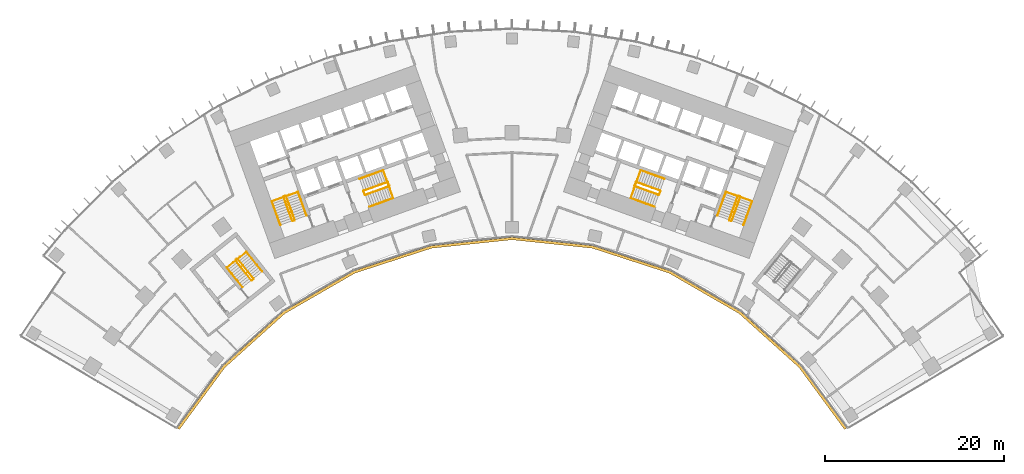
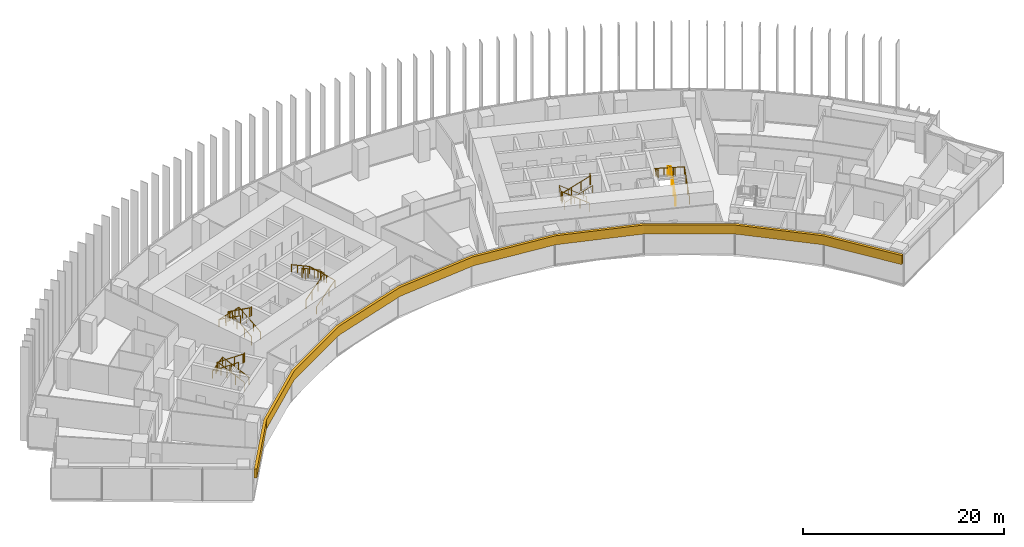
# One storey, part 23 of 24: 15 railings, 1 covering.
"""IFC4 building model written with IfcOpenShell, lengths in metres."""

import ifcopenshell
import ifcopenshell.guid

model = None  # the IFC model being written
_history = None  # IfcOwnerHistory: only IFC2X3 demands one
_inside = {}  # id of a spatial element -> (the spatial element, [elements in it])
_under = {}  # id of a project, library or spatial element -> (it, [spatial elements below it])
_declared = {}  # id of a project -> (the project, [libraries it declares])
_typed = {}  # id of a type object -> (the type object, [elements of that type])
_made_of = {}  # id of a material, layer set ... -> (it, [elements and type objects made of it])


def new_model(schema):
    """Start an empty IFC model of exactly this schema.

    Asked for "IFC4X3", IfcOpenShell would pick the latest addendum, in which some entities
    have other attributes; the version numbers below select the first issue.
    IFC2X3 requires an IfcOwnerHistory on every rooted entity: one is made here for all.
    """
    global model, _history
    if schema == "IFC4X3":
        model = ifcopenshell.file(schema_version=(4, 3, 0, 0))
    else:
        model = ifcopenshell.file(schema=schema)
    _inside.clear()
    _under.clear()
    _declared.clear()
    _typed.clear()
    _made_of.clear()
    _history = None
    if model.schema == "IFC2X3":
        org = make("IfcOrganization", Name="unknown")
        user = make(
            "IfcPersonAndOrganization",
            ThePerson=make("IfcPerson", FamilyName="unknown"),
            TheOrganization=org,
        )
        app = make(
            "IfcApplication",
            ApplicationDeveloper=org,
            Version="unknown",
            ApplicationFullName="unknown",
            ApplicationIdentifier="unknown",
        )
        _history = make(
            "IfcOwnerHistory",
            OwningUser=user,
            OwningApplication=app,
            ChangeAction="ADDED",
            CreationDate=0,
        )
    return model


def make(cls, **values):
    """One entity of the class cls with the attributes given. An attribute that is None is left unset."""
    return model.create_entity(
        cls, **{name: value for name, value in values.items() if value is not None}
    )


def rooted(cls, **values):
    """An entity with a GlobalId (a new one), such as an element, a storey or a relation."""
    return make(cls, GlobalId=ifcopenshell.guid.new(), OwnerHistory=_history, **values)


def si_unit(unit_type, name, prefix=None):
    """IfcSIUnit, for example si_unit("LENGTHUNIT", "METRE", prefix="MILLI")."""
    return make("IfcSIUnit", UnitType=unit_type, Prefix=prefix, Name=name)


def assignment(units):
    """IfcUnitAssignment: the units of a project."""
    return None if units is None else make("IfcUnitAssignment", Units=units)


def point(xyz):
    """IfcCartesianPoint."""
    return None if xyz is None else make("IfcCartesianPoint", Coordinates=xyz)


def direction(xyz):
    """IfcDirection."""
    return None if xyz is None else make("IfcDirection", DirectionRatios=xyz)


def frame(location, z_axis=None, x_axis=None):
    """IfcAxis2Placement3D, a coordinate frame: its origin and axes. An axis left out is left unset."""
    return make(
        "IfcAxis2Placement3D",
        Location=point(location),
        Axis=direction(z_axis),
        RefDirection=direction(x_axis),
    )


def frame_2d(location, x_axis=None):
    """IfcAxis2Placement2D, a coordinate frame in the plane: its origin and x axis."""
    return make(
        "IfcAxis2Placement2D", Location=point(location), RefDirection=direction(x_axis)
    )


def origin():
    """The frame at (0, 0, 0) with its axes left unset."""
    return frame((0.0, 0.0, 0.0))


def origin_2d():
    """The frame at (0, 0) in the plane with its x axis left unset."""
    return frame_2d((0.0, 0.0))


def place(relative_to, where):
    """IfcLocalPlacement: puts the frame where relative to a parent placement (None: the world)."""
    return make(
        "IfcLocalPlacement", PlacementRelTo=relative_to, RelativePlacement=where
    )


def context(
    kind, dimensions, precision=None, world=None, true_north=None, identifier=None
):
    """IfcGeometricRepresentationContext, for example the 3D "Model" context."""
    return make(
        "IfcGeometricRepresentationContext",
        ContextIdentifier=identifier,
        ContextType=kind,
        CoordinateSpaceDimension=dimensions,
        Precision=precision,
        WorldCoordinateSystem=world,
        TrueNorth=true_north,
    )


def subcontext(parent, identifier, kind, view, scale=None):
    """IfcGeometricRepresentationSubContext, for example "Body" below "Model"."""
    return make(
        "IfcGeometricRepresentationSubContext",
        ContextIdentifier=identifier,
        ContextType=kind,
        ParentContext=parent,
        TargetScale=scale,
        TargetView=view,
    )


def project(units=None, contexts=None):
    """IfcProject with its units and contexts."""
    return rooted(
        "IfcProject",
        Name="project",
        RepresentationContexts=contexts,
        UnitsInContext=assignment(units),
    )


def spatial(cls, under=None, at=None, **own):
    """A site, building, storey or space (cls), placed at a placement, below another one or the project."""
    s = rooted(cls, ObjectPlacement=at, **own)
    if under is not None:
        _under.setdefault(under.id(), (under, []))[1].append(s)
    return s


def polyline(points):
    """IfcPolyline through the points."""
    return make("IfcPolyline", Points=[point(p) for p in points])


def profile(cls, at=None, kind="AREA", **sizes):
    """A parametric profile (cls). Its sizes go by their IFC names, for example OverallWidth=200.0."""
    return make(cls, ProfileType=kind, Position=at, **sizes)


def circle(**sizes):
    """IfcCircleProfileDef."""
    return profile("IfcCircleProfileDef", **sizes)


def outline(outer, holes=None, kind="AREA"):
    """IfcArbitraryClosedProfileDef: a profile drawn as a closed curve; with holes, ...WithVoids."""
    if holes is None:
        return make("IfcArbitraryClosedProfileDef", ProfileType=kind, OuterCurve=outer)
    return make(
        "IfcArbitraryProfileDefWithVoids",
        ProfileType=kind,
        OuterCurve=outer,
        InnerCurves=holes,
    )


def extrude(swept, where, along, depth):
    """IfcExtrudedAreaSolid: the profile swept, set in the frame where, extruded along a direction by depth."""
    return make(
        "IfcExtrudedAreaSolid",
        SweptArea=swept,
        Position=where,
        ExtrudedDirection=direction(along),
        Depth=depth,
    )


def shape(context_of_items, identifier, shape_type, items):
    """IfcShapeRepresentation: the items that make up one representation, for example the "Body"."""
    return make(
        "IfcShapeRepresentation",
        ContextOfItems=context_of_items,
        RepresentationIdentifier=identifier,
        RepresentationType=shape_type,
        Items=items,
    )


def material(Name=None, Category=None):
    """IfcMaterial."""
    return make("IfcMaterial", Name=Name, Category=Category)


def layer(
    of_material, thickness, ventilated=None, Name=None, Category=None, Priority=None
):
    """IfcMaterialLayer: one layer of a wall or slab, of a material (None: an air gap)."""
    return make(
        "IfcMaterialLayer",
        Material=of_material,
        LayerThickness=thickness,
        IsVentilated=ventilated,
        Name=Name,
        Category=Category,
        Priority=Priority,
    )


def layer_set(layers, Name=None):
    """IfcMaterialLayerSet."""
    return make("IfcMaterialLayerSet", MaterialLayers=layers, LayerSetName=Name)


def made_of(thing, what):
    """Note that an element or type object is made of a material, layer set ...; save() writes the relation."""
    if what is not None:
        _made_of.setdefault(what.id(), (what, []))[1].append(thing)
    return thing


def type_object(cls, material=None, **own):
    """A type object (cls), such as IfcWallType, which elements share."""
    return made_of(rooted(cls, **own), material)


def element(
    cls,
    number,
    at=None,
    inside=None,
    cuts=None,
    type_object=None,
    material=None,
    context=None,
    identifier="Body",
    shape_type=None,
    held_by="IfcProductDefinitionShape",
    body=None,
    shapes=None,
    **own,
):
    """One element of the class cls, such as IfcWall. Its Tag is "e" and its number.

    at: its placement. inside: the storey or other place that contains it. cuts: it is an
    opening in that element (IfcRelVoidsElement). A single representation is given by context,
    identifier, shape_type and body (its items); several are given by shapes. held_by: the class
    of the entity that holds the representations. save() writes the other relations.
    """
    e = rooted(cls, Tag="e%d" % number, ObjectPlacement=at, **own)
    if body is not None:
        shapes = [shape(context, identifier, shape_type, body)]
    if shapes is not None:
        e.Representation = make(held_by, Representations=shapes)
    if inside is not None:
        _inside.setdefault(inside.id(), (inside, []))[1].append(e)
    if cuts is not None:
        rooted(
            "IfcRelVoidsElement", RelatingBuildingElement=cuts, RelatedOpeningElement=e
        )
    if type_object is not None:
        _typed.setdefault(type_object.id(), (type_object, []))[1].append(e)
    return made_of(e, material)


def aggregate(whole, parts):
    """IfcRelAggregates: a whole, such as a stair, and the parts it consists of."""
    return rooted("IfcRelAggregates", RelatingObject=whole, RelatedObjects=parts)


def save(model, path):
    """Write the relations noted so far, then the file.

    IfcRelAggregates (storeys below a building ...), IfcRelContainedInSpatialStructure (elements
    in a storey), IfcRelDefinesByType, IfcRelAssociatesMaterial and IfcRelDeclares: one each for
    every whole, place, type object, material and project.
    """
    for whole, parts in _under.values():
        aggregate(whole, parts)
    for where, things in _inside.values():
        rooted(
            "IfcRelContainedInSpatialStructure",
            RelatedElements=things,
            RelatingStructure=where,
        )
    for kind, things in _typed.values():
        rooted("IfcRelDefinesByType", RelatedObjects=things, RelatingType=kind)
    for what, things in _made_of.values():
        rooted("IfcRelAssociatesMaterial", RelatedObjects=things, RelatingMaterial=what)
    for by, libraries in _declared.values():
        rooted("IfcRelDeclares", RelatingContext=by, RelatedDefinitions=libraries)
    model.write(path)


model = new_model("IFC4")

# Units and contexts
model_context = context("Model", 3, precision=1e-05, world=origin(), true_north=direction((0.0, 1.0)))
body_context = subcontext(model_context, "Body", "Model", "MODEL_VIEW")
ifc_project = project(units=[si_unit("LENGTHUNIT", "METRE"), si_unit("AREAUNIT", "SQUARE_METRE"), si_unit("VOLUMEUNIT", "CUBIC_METRE"), si_unit("PLANEANGLEUNIT", "RADIAN"), si_unit("MASSUNIT", "GRAM", prefix="KILO")], contexts=[model_context])

# Site, building, storey
site_placement = place(None, origin())
site = spatial("IfcSite", under=ifc_project, at=site_placement, CompositionType="ELEMENT")
building_placement = place(site_placement, origin())
building = spatial("IfcBuilding", under=site, at=building_placement, Name="Stone Belt Terrace Tower", CompositionType="ELEMENT")
storey_placement = place(building_placement, frame((0.0, 0.0, 41.39990234375)))
storey = spatial("IfcBuildingStorey", under=building, at=storey_placement, Name="L09", CompositionType="ELEMENT", Elevation=41.39990234375)

# Railings
ifc_material_1 = material(Name="Structural steel C345", Category="steel")
railing_type_1 = type_object("IfcRailingType", Name="Stair guard 1100", PredefinedType="GUARDRAIL", material=ifc_material_1)
railing_1_placement = place(storey_placement, frame((-24.2119140625, 45.276123046875, 0.1728515625)))
element("IfcRailing", 1, at=railing_1_placement, inside=storey, type_object=railing_type_1, Name="L09 ST1A stair guard 1", PredefinedType="GUARDRAIL", context=body_context, shape_type="SweptSolid", body=[
    extrude(circle(Radius=0.02392578125, at=origin_2d()), frame((0.0, 0.0, 1.076171875), z_axis=(-0.288228637646, 0.800791768495, 0.525030280985), x_axis=(-0.940908529223, -0.338660803216, 0.0)), (0.0, 0.0, 1.0), 3.289794921875),
    extrude(circle(Radius=0.02392578125, at=origin_2d()), frame((-0.9482421875, 2.634521484375, 2.80322265625), z_axis=(-0.905209821074, 0.424964916, 0.0), x_axis=(-0.424964916, -0.905209821074, 0.0)), (0.0, 0.0, 1.0), 0.070556640625),
    extrude(circle(Radius=0.02392578125, at=origin_2d()), frame((-1.01220703125, 2.66455078125, 2.80322265625), z_axis=(-0.941105063269, -0.338114270461, 0.0), x_axis=(0.338114270461, -0.941105063269, 0.0)), (0.0, 0.0, 1.0), 0.199951171875),
    extrude(circle(Radius=0.02099609375, at=origin_2d()), origin(), (0.0, 0.0, 1.0), 1.052001953125),
    extrude(circle(Radius=0.02099609375, at=origin_2d()), frame((-0.316162109375, 0.878173828125, 0.57568359375)), (0.0, 0.0, 1.0), 1.052001953125),
    extrude(circle(Radius=0.02099609375, at=origin_2d()), frame((-0.632080078125, 1.75634765625, 1.151611328125)), (0.0, 0.0, 1.0), 1.052001953125),
    extrude(circle(Radius=0.02099609375, at=origin_2d()), frame((-0.9482421875, 2.634521484375, 1.727294921875)), (0.0, 0.0, 1.0), 1.052001953125),
    extrude(circle(Radius=0.02099609375, at=origin_2d()), frame((-1.01220703125, 2.66455078125, 1.727294921875)), (0.0, 0.0, 1.0), 1.052001953125),
    extrude(circle(Radius=0.02099609375, at=origin_2d()), frame((-1.200439453125, 2.596923828125, 1.727294921875)), (0.0, 0.0, 1.0), 1.052001953125),
])
railing_2_placement = place(storey_placement, frame((-25.4423828125, 47.80908203125, 2.07275390625)))
element("IfcRailing", 2, at=railing_2_placement, inside=storey, type_object=railing_type_1, Name="L09 ST1A stair guard 2", PredefinedType="GUARDRAIL", context=body_context, shape_type="SweptSolid", body=[
    extrude(circle(Radius=0.02392578125, at=origin_2d()), frame((0.0, 0.0, 1.076171875), z_axis=(0.288228637646, -0.800791768495, 0.525030280985), x_axis=(0.940908529223, 0.338660803216, 0.0)), (0.0, 0.0, 1.0), 3.289794921875),
    extrude(circle(Radius=0.02392578125, at=origin_2d()), frame((0.9482421875, -2.634521484375, 2.80322265625), z_axis=(0.903878284585, -0.427789722475, 0.0), x_axis=(0.427789722475, 0.903878284585, 0.0)), (0.0, 0.0, 1.0), 0.07080078125),
    extrude(circle(Radius=0.02392578125, at=origin_2d()), frame((1.01220703125, -2.664794921875, 2.80322265625), z_axis=(0.940575576748, 0.339584429008, 0.0), x_axis=(-0.339584429008, 0.940575576748, 0.0)), (0.0, 0.0, 1.0), 0.199951171875),
    extrude(circle(Radius=0.02099609375, at=origin_2d()), origin(), (0.0, 0.0, 1.0), 1.052001953125),
    extrude(circle(Radius=0.02099609375, at=origin_2d()), frame((0.316162109375, -0.878173828125, 0.57568359375)), (0.0, 0.0, 1.0), 1.052001953125),
    extrude(circle(Radius=0.02099609375, at=origin_2d()), frame((0.632080078125, -1.75634765625, 1.151611328125)), (0.0, 0.0, 1.0), 1.052001953125),
    extrude(circle(Radius=0.02099609375, at=origin_2d()), frame((0.9482421875, -2.634521484375, 1.727294921875)), (0.0, 0.0, 1.0), 1.052001953125),
    extrude(circle(Radius=0.02099609375, at=origin_2d()), frame((1.01220703125, -2.664794921875, 1.727294921875)), (0.0, 0.0, 1.0), 1.052001953125),
    extrude(circle(Radius=0.02099609375, at=origin_2d()), frame((1.2001953125, -2.596923828125, 1.727294921875)), (0.0, 0.0, 1.0), 1.052001953125),
])
railing_3_placement = place(storey_placement, frame((-16.33837890625, 48.056640625, 0.1728515625)))
element("IfcRailing", 3, at=railing_3_placement, inside=storey, type_object=railing_type_1, Name="L09 ST2A stair guard 1", PredefinedType="GUARDRAIL", context=body_context, shape_type="SweptSolid", body=[
    extrude(circle(Radius=0.02392578125, at=origin_2d()), frame((0.0, 0.0, 1.076171875), z_axis=(0.800808895155, 0.288160591223, 0.52504150989), x_axis=(-0.338583606334, 0.940936311087, 0.0)), (0.0, 0.0, 1.0), 3.289794921875),
    extrude(circle(Radius=0.02392578125, at=origin_2d()), frame((2.634521484375, 0.947998046875, 2.80322265625), z_axis=(0.427789722475, 0.903878284585, 0.0), x_axis=(-0.903878284585, 0.427789722475, 0.0)), (0.0, 0.0, 1.0), 0.07080078125),
    extrude(circle(Radius=0.02392578125, at=origin_2d()), frame((2.664794921875, 1.011962890625, 2.80322265625), z_axis=(-0.338654645739, 0.940910745459, 0.0), x_axis=(-0.940910745459, -0.338654645739, 0.0)), (0.0, 0.0, 1.0), 0.400146484375),
    extrude(circle(Radius=0.02099609375, at=origin_2d()), origin(), (0.0, 0.0, 1.0), 1.052001953125),
    extrude(circle(Radius=0.02099609375, at=origin_2d()), frame((0.878173828125, 0.31591796875, 0.57568359375)), (0.0, 0.0, 1.0), 1.052001953125),
    extrude(circle(Radius=0.02099609375, at=origin_2d()), frame((1.75634765625, 0.632080078125, 1.151611328125)), (0.0, 0.0, 1.0), 1.052001953125),
    extrude(circle(Radius=0.02099609375, at=origin_2d()), frame((2.634521484375, 0.947998046875, 1.727294921875)), (0.0, 0.0, 1.0), 1.052001953125),
    extrude(circle(Radius=0.02099609375, at=origin_2d()), frame((2.664794921875, 1.011962890625, 1.727294921875)), (0.0, 0.0, 1.0), 1.052001953125),
    extrude(circle(Radius=0.02099609375, at=origin_2d()), frame((2.529296875, 1.388427734375, 1.727294921875)), (0.0, 0.0, 1.0), 1.052001953125),
])
railing_4_placement = place(storey_placement, frame((-13.873046875, 49.47509765625, 2.07275390625)))
element("IfcRailing", 4, at=railing_4_placement, inside=storey, type_object=railing_type_1, Name="L09 ST2A stair guard 2", PredefinedType="GUARDRAIL", context=body_context, shape_type="SweptSolid", body=[
    extrude(circle(Radius=0.02392578125, at=origin_2d()), frame((0.0, 0.0, 1.076171875), z_axis=(-0.800808895155, -0.288160591223, 0.52504150989), x_axis=(0.338583606334, -0.940936311087, 0.0)), (0.0, 0.0, 1.0), 3.289794921875),
    extrude(circle(Radius=0.02392578125, at=origin_2d()), frame((-2.634521484375, -0.947998046875, 2.80322265625), z_axis=(-0.427789722475, -0.903878284585, 0.0), x_axis=(0.903878284585, -0.427789722475, 0.0)), (0.0, 0.0, 1.0), 0.07080078125),
    extrude(circle(Radius=0.02392578125, at=origin_2d()), frame((-2.664794921875, -1.011962890625, 2.80322265625), z_axis=(0.338654645739, -0.940910745459, 0.0), x_axis=(0.940910745459, 0.338654645739, 0.0)), (0.0, 0.0, 1.0), 0.400146484375),
    extrude(circle(Radius=0.02099609375, at=origin_2d()), origin(), (0.0, 0.0, 1.0), 1.052001953125),
    extrude(circle(Radius=0.02099609375, at=origin_2d()), frame((-0.878173828125, -0.31591796875, 0.57568359375)), (0.0, 0.0, 1.0), 1.052001953125),
    extrude(circle(Radius=0.02099609375, at=origin_2d()), frame((-1.75634765625, -0.632080078125, 1.151611328125)), (0.0, 0.0, 1.0), 1.052001953125),
    extrude(circle(Radius=0.02099609375, at=origin_2d()), frame((-2.634521484375, -0.947998046875, 1.727294921875)), (0.0, 0.0, 1.0), 1.052001953125),
    extrude(circle(Radius=0.02099609375, at=origin_2d()), frame((-2.664794921875, -1.011962890625, 1.727294921875)), (0.0, 0.0, 1.0), 1.052001953125),
    extrude(circle(Radius=0.02099609375, at=origin_2d()), frame((-2.529296875, -1.388427734375, 1.727294921875)), (0.0, 0.0, 1.0), 1.052001953125),
])
railing_5_placement = place(storey_placement, frame((24.494140625, 45.174560546875, 0.1728515625)))
element("IfcRailing", 5, at=railing_5_placement, inside=storey, type_object=railing_type_1, Name="L09 ST1B stair guard 1", PredefinedType="GUARDRAIL", context=body_context, shape_type="SweptSolid", body=[
    extrude(circle(Radius=0.02392578125, at=origin_2d()), frame((0.0, 0.0, 1.076171875), z_axis=(0.288228637646, 0.800791768495, 0.525030280985), x_axis=(-0.940908529223, 0.338660803216, 0.0)), (0.0, 0.0, 1.0), 3.289794921875),
    extrude(circle(Radius=0.02392578125, at=origin_2d()), frame((0.9482421875, 2.634521484375, 2.80322265625), z_axis=(-0.424964916, 0.905209821074, 0.0), x_axis=(-0.905209821074, -0.424964916, 0.0)), (0.0, 0.0, 1.0), 0.070556640625),
    extrude(circle(Radius=0.02392578125, at=origin_2d()), frame((0.918212890625, 2.698486328125, 2.80322265625), z_axis=(-0.941105063269, 0.338114270461, 0.0), x_axis=(-0.338114270461, -0.941105063269, 0.0)), (0.0, 0.0, 1.0), 0.199951171875),
    extrude(circle(Radius=0.02099609375, at=origin_2d()), origin(), (0.0, 0.0, 1.0), 1.052001953125),
    extrude(circle(Radius=0.02099609375, at=origin_2d()), frame((0.316162109375, 0.878173828125, 0.57568359375)), (0.0, 0.0, 1.0), 1.052001953125),
    extrude(circle(Radius=0.02099609375, at=origin_2d()), frame((0.632080078125, 1.75634765625, 1.151611328125)), (0.0, 0.0, 1.0), 1.052001953125),
    extrude(circle(Radius=0.02099609375, at=origin_2d()), frame((0.9482421875, 2.634521484375, 1.727294921875)), (0.0, 0.0, 1.0), 1.052001953125),
    extrude(circle(Radius=0.02099609375, at=origin_2d()), frame((0.918212890625, 2.698486328125, 1.727294921875)), (0.0, 0.0, 1.0), 1.052001953125),
    extrude(circle(Radius=0.02099609375, at=origin_2d()), frame((0.72998046875, 2.76611328125, 1.727294921875)), (0.0, 0.0, 1.0), 1.052001953125),
])
railing_6_placement = place(storey_placement, frame((25.16015625, 47.91064453125, 2.07275390625)))
element("IfcRailing", 6, at=railing_6_placement, inside=storey, type_object=railing_type_1, Name="L09 ST1B stair guard 2", PredefinedType="GUARDRAIL", context=body_context, shape_type="SweptSolid", body=[
    extrude(circle(Radius=0.02392578125, at=origin_2d()), frame((0.0, 0.0, 1.076171875), z_axis=(-0.288228637646, -0.800791768495, 0.525030280985), x_axis=(0.940908529223, -0.338660803216, 0.0)), (0.0, 0.0, 1.0), 3.289794921875),
    extrude(circle(Radius=0.02392578125, at=origin_2d()), frame((-0.9482421875, -2.634521484375, 2.80322265625), z_axis=(0.427789722475, -0.903878284585, 0.0), x_axis=(0.903878284585, 0.427789722475, 0.0)), (0.0, 0.0, 1.0), 0.07080078125),
    extrude(circle(Radius=0.02392578125, at=origin_2d()), frame((-0.91796875, -2.698486328125, 2.80322265625), z_axis=(0.940575576748, -0.339584429008, 0.0), x_axis=(0.339584429008, 0.940575576748, 0.0)), (0.0, 0.0, 1.0), 0.199951171875),
    extrude(circle(Radius=0.02099609375, at=origin_2d()), origin(), (0.0, 0.0, 1.0), 1.052001953125),
    extrude(circle(Radius=0.02099609375, at=origin_2d()), frame((-0.316162109375, -0.878173828125, 0.57568359375)), (0.0, 0.0, 1.0), 1.052001953125),
    extrude(circle(Radius=0.02099609375, at=origin_2d()), frame((-0.632080078125, -1.75634765625, 1.151611328125)), (0.0, 0.0, 1.0), 1.052001953125),
    extrude(circle(Radius=0.02099609375, at=origin_2d()), frame((-0.9482421875, -2.634521484375, 1.727294921875)), (0.0, 0.0, 1.0), 1.052001953125),
    extrude(circle(Radius=0.02099609375, at=origin_2d()), frame((-0.91796875, -2.698486328125, 1.727294921875)), (0.0, 0.0, 1.0), 1.052001953125),
    extrude(circle(Radius=0.02099609375, at=origin_2d()), frame((-0.72998046875, -2.766357421875, 1.727294921875)), (0.0, 0.0, 1.0), 1.052001953125),
])
railing_7_placement = place(storey_placement, frame((16.507568359375, 48.527099609375, 0.1728515625)))
element("IfcRailing", 7, at=railing_7_placement, inside=storey, type_object=railing_type_1, Name="L09 ST2B stair guard 1", PredefinedType="GUARDRAIL", context=body_context, shape_type="SweptSolid", body=[
    extrude(circle(Radius=0.02392578125, at=origin_2d()), frame((0.0, 0.0, 1.076171875), z_axis=(-0.800808895155, 0.288160591223, 0.52504150989), x_axis=(-0.338583606334, -0.940936311087, 0.0)), (0.0, 0.0, 1.0), 3.289794921875),
    extrude(circle(Radius=0.02392578125, at=origin_2d()), frame((-2.634521484375, 0.947998046875, 2.80322265625), z_axis=(-0.905209821074, -0.424964916, 0.0), x_axis=(0.424964916, -0.905209821074, 0.0)), (0.0, 0.0, 1.0), 0.070556640625),
    extrude(circle(Radius=0.02392578125, at=origin_2d()), frame((-2.698486328125, 0.91796875, 2.80322265625), z_axis=(-0.338654645739, -0.940910745459, 0.0), x_axis=(0.940910745459, -0.338654645739, 0.0)), (0.0, 0.0, 1.0), 0.400146484375),
    extrude(circle(Radius=0.02099609375, at=origin_2d()), origin(), (0.0, 0.0, 1.0), 1.052001953125),
    extrude(circle(Radius=0.02099609375, at=origin_2d()), frame((-0.878173828125, 0.31591796875, 0.57568359375)), (0.0, 0.0, 1.0), 1.052001953125),
    extrude(circle(Radius=0.02099609375, at=origin_2d()), frame((-1.75634765625, 0.632080078125, 1.151611328125)), (0.0, 0.0, 1.0), 1.052001953125),
    extrude(circle(Radius=0.02099609375, at=origin_2d()), frame((-2.634521484375, 0.947998046875, 1.727294921875)), (0.0, 0.0, 1.0), 1.052001953125),
    extrude(circle(Radius=0.02099609375, at=origin_2d()), frame((-2.698486328125, 0.91796875, 1.727294921875)), (0.0, 0.0, 1.0), 1.052001953125),
    extrude(circle(Radius=0.02099609375, at=origin_2d()), frame((-2.833984375, 0.54150390625, 1.727294921875)), (0.0, 0.0, 1.0), 1.052001953125),
])
railing_8_placement = place(storey_placement, frame((13.703857421875, 49.004638671875, 2.07275390625)))
element("IfcRailing", 8, at=railing_8_placement, inside=storey, type_object=railing_type_1, Name="L09 ST2B stair guard 2", PredefinedType="GUARDRAIL", context=body_context, shape_type="SweptSolid", body=[
    extrude(circle(Radius=0.02392578125, at=origin_2d()), frame((0.0, 0.0, 1.076171875), z_axis=(0.800808895155, -0.288160591223, 0.52504150989), x_axis=(0.338583606334, 0.940936311087, 0.0)), (0.0, 0.0, 1.0), 3.289794921875),
    extrude(circle(Radius=0.02392578125, at=origin_2d()), frame((2.634521484375, -0.947998046875, 2.80322265625), z_axis=(0.905209821074, 0.424964916, 0.0), x_axis=(-0.424964916, 0.905209821074, 0.0)), (0.0, 0.0, 1.0), 0.070556640625),
    extrude(circle(Radius=0.02392578125, at=origin_2d()), frame((2.698486328125, -0.91796875, 2.80322265625), z_axis=(0.338654645739, 0.940910745459, 0.0), x_axis=(-0.940910745459, 0.338654645739, 0.0)), (0.0, 0.0, 1.0), 0.400146484375),
    extrude(circle(Radius=0.02099609375, at=origin_2d()), origin(), (0.0, 0.0, 1.0), 1.052001953125),
    extrude(circle(Radius=0.02099609375, at=origin_2d()), frame((0.878173828125, -0.31591796875, 0.57568359375)), (0.0, 0.0, 1.0), 1.052001953125),
    extrude(circle(Radius=0.02099609375, at=origin_2d()), frame((1.75634765625, -0.632080078125, 1.151611328125)), (0.0, 0.0, 1.0), 1.052001953125),
    extrude(circle(Radius=0.02099609375, at=origin_2d()), frame((2.634521484375, -0.947998046875, 1.727294921875)), (0.0, 0.0, 1.0), 1.052001953125),
    extrude(circle(Radius=0.02099609375, at=origin_2d()), frame((2.698486328125, -0.91796875, 1.727294921875)), (0.0, 0.0, 1.0), 1.052001953125),
    extrude(circle(Radius=0.02099609375, at=origin_2d()), frame((2.833984375, -0.54150390625, 1.727294921875)), (0.0, 0.0, 1.0), 1.052001953125),
])
railing_9_placement = place(storey_placement, frame((-28.814208984375, 38.734619140625, 0.1728515625)))
element("IfcRailing", 9, at=railing_9_placement, inside=storey, type_object=railing_type_1, Name="L09 ST3A stair guard 1", PredefinedType="GUARDRAIL", context=body_context, shape_type="SweptSolid", body=[
    extrude(circle(Radius=0.02392578125, at=origin_2d()), frame((0.0, 0.0, 1.076171875), z_axis=(-0.530306321799, 0.665665785969, 0.525037395288), x_axis=(-0.782143211408, -0.623098705543, 0.0)), (0.0, 0.0, 1.0), 3.289794921875),
    extrude(circle(Radius=0.02392578125, at=origin_2d()), frame((-1.74462890625, 2.18994140625, 2.80322265625), z_axis=(-0.993883734674, 0.110431526075, 0.0), x_axis=(-0.110431526075, -0.993883734674, 0.0)), (0.0, 0.0, 1.0), 0.07080078125),
    extrude(circle(Radius=0.02392578125, at=origin_2d()), frame((-1.81494140625, 2.19775390625, 2.80322265625), z_axis=(-0.782533463299, -0.622608527742, 0.0), x_axis=(0.622608527742, -0.782533463299, 0.0)), (0.0, 0.0, 1.0), 0.199951171875),
    extrude(circle(Radius=0.02099609375, at=origin_2d()), origin(), (0.0, 0.0, 1.0), 1.052001953125),
    extrude(circle(Radius=0.02099609375, at=origin_2d()), frame((-0.58154296875, 0.72998046875, 0.57568359375)), (0.0, 0.0, 1.0), 1.052001953125),
    extrude(circle(Radius=0.02099609375, at=origin_2d()), frame((-1.1630859375, 1.4599609375, 1.151611328125)), (0.0, 0.0, 1.0), 1.052001953125),
    extrude(circle(Radius=0.02099609375, at=origin_2d()), frame((-1.74462890625, 2.18994140625, 1.727294921875)), (0.0, 0.0, 1.0), 1.052001953125),
    extrude(circle(Radius=0.02099609375, at=origin_2d()), frame((-1.81494140625, 2.19775390625, 1.727294921875)), (0.0, 0.0, 1.0), 1.052001953125),
    extrude(circle(Radius=0.02099609375, at=origin_2d()), frame((-1.971435546875, 2.0732421875, 1.727294921875)), (0.0, 0.0, 1.0), 1.052001953125),
])
railing_10_placement = place(storey_placement, frame((-30.793701171875, 40.737548828125, 2.07275390625)))
element("IfcRailing", 10, at=railing_10_placement, inside=storey, type_object=railing_type_1, Name="L09 ST3A stair guard 2", PredefinedType="GUARDRAIL", context=body_context, shape_type="SweptSolid", body=[
    extrude(circle(Radius=0.02392578125, at=origin_2d()), frame((0.0, 0.0, 1.076171875), z_axis=(0.530359659125, -0.665639588968, 0.525016732659), x_axis=(0.782100716982, 0.62315204284, 0.0)), (0.0, 0.0, 1.0), 3.2900390625),
    extrude(circle(Radius=0.02392578125, at=origin_2d()), frame((1.744873046875, -2.18994140625, 2.80322265625), z_axis=(0.993499272973, -0.113838458361, 0.0), x_axis=(0.113838458361, 0.993499272973, 0.0)), (0.0, 0.0, 1.0), 0.07080078125),
    extrude(circle(Radius=0.02392578125, at=origin_2d()), frame((1.815185546875, -2.197998046875, 2.80322265625), z_axis=(0.781464082609, 0.623950228458, 0.0), x_axis=(-0.623950228458, 0.781464082609, 0.0)), (0.0, 0.0, 1.0), 0.199951171875),
    extrude(circle(Radius=0.02099609375, at=origin_2d()), origin(), (0.0, 0.0, 1.0), 1.052001953125),
    extrude(circle(Radius=0.02099609375, at=origin_2d()), frame((0.58154296875, -0.72998046875, 0.57568359375)), (0.0, 0.0, 1.0), 1.052001953125),
    extrude(circle(Radius=0.02099609375, at=origin_2d()), frame((1.163330078125, -1.4599609375, 1.151611328125)), (0.0, 0.0, 1.0), 1.052001953125),
    extrude(circle(Radius=0.02099609375, at=origin_2d()), frame((1.744873046875, -2.18994140625, 1.727294921875)), (0.0, 0.0, 1.0), 1.052001953125),
    extrude(circle(Radius=0.02099609375, at=origin_2d()), frame((1.815185546875, -2.197998046875, 1.727294921875)), (0.0, 0.0, 1.0), 1.052001953125),
    extrude(circle(Radius=0.02099609375, at=origin_2d()), frame((1.971435546875, -2.0732421875, 1.727294921875)), (0.0, 0.0, 1.0), 1.052001953125),
])
railing_type_2 = type_object("IfcRailingType", Name="Stair handrail 900", PredefinedType="HANDRAIL", material=ifc_material_1)
railing_11_placement = place(storey_placement, frame((-22.894775390625, 45.750244140625, 0.1728515625)))
element("IfcRailing", 11, at=railing_11_placement, inside=storey, type_object=railing_type_2, Name="L09 ST1A stair handrail 1", PredefinedType="HANDRAIL", context=body_context, shape_type="SweptSolid", body=[
    extrude(circle(Radius=0.02392578125, at=origin_2d()), frame((0.0, 0.0, 0.8759765625), z_axis=(-0.288160591223, 0.800808895155, 0.52504150989), x_axis=(-0.940936311087, -0.338583606334, 0.0)), (0.0, 0.0, 1.0), 3.289794921875),
    extrude(circle(Radius=0.02392578125, at=origin_2d()), frame((-0.947998046875, 2.634521484375, 2.60302734375), z_axis=(-0.939464517435, -0.338106580597, 0.055591012205), x_axis=(0.338630230244, -0.940919532779, 0.0)), (0.0, 0.0, 1.0), 3.10498046875),
    extrude(circle(Radius=0.02392578125, at=origin_2d()), frame((-3.864990234375, 1.584716796875, 2.77587890625), z_axis=(0.288228637646, -0.800791768495, 0.525030280985), x_axis=(0.940908529223, 0.338660803216, 0.0)), (0.0, 0.0, 1.0), 3.289794921875),
    extrude(circle(Radius=0.02099609375, at=origin_2d()), origin(), (0.0, 0.0, 1.0), 0.851806640625),
    extrude(circle(Radius=0.02099609375, at=origin_2d()), frame((-0.31591796875, 0.878173828125, 0.57568359375)), (0.0, 0.0, 1.0), 0.851806640625),
    extrude(circle(Radius=0.02099609375, at=origin_2d()), frame((-0.632080078125, 1.75634765625, 1.151611328125)), (0.0, 0.0, 1.0), 0.851806640625),
    extrude(circle(Radius=0.02099609375, at=origin_2d()), frame((-0.947998046875, 2.634521484375, 1.727294921875)), (0.0, 0.0, 1.0), 0.851806640625),
    extrude(circle(Radius=0.02099609375, at=origin_2d()), frame((-1.92041015625, 2.28466796875, 1.784912109375)), (0.0, 0.0, 1.0), 0.851806640625),
    extrude(circle(Radius=0.02099609375, at=origin_2d()), frame((-2.892578125, 1.9345703125, 1.84228515625)), (0.0, 0.0, 1.0), 0.851806640625),
    extrude(circle(Radius=0.02099609375, at=origin_2d()), frame((-3.864990234375, 1.584716796875, 1.89990234375)), (0.0, 0.0, 1.0), 0.851806640625),
    extrude(circle(Radius=0.02099609375, at=origin_2d()), frame((-3.548828125, 0.70654296875, 2.4755859375)), (0.0, 0.0, 1.0), 0.851806640625),
    extrude(circle(Radius=0.02099609375, at=origin_2d()), frame((-3.23291015625, -0.171630859375, 3.051513671875)), (0.0, 0.0, 1.0), 0.851806640625),
    extrude(circle(Radius=0.02099609375, at=origin_2d()), frame((-2.916748046875, -1.0498046875, 3.627197265625)), (0.0, 0.0, 1.0), 0.851806640625),
])
railing_12_placement = place(storey_placement, frame((-15.8642578125, 46.7392578125, 0.1728515625)))
element("IfcRailing", 12, at=railing_12_placement, inside=storey, type_object=railing_type_2, Name="L09 ST2A stair handrail 1", PredefinedType="HANDRAIL", context=body_context, shape_type="SweptSolid", body=[
    extrude(circle(Radius=0.02392578125, at=origin_2d()), frame((0.0, 0.0, 0.8759765625), z_axis=(0.800791768495, 0.288228637646, 0.525030280985), x_axis=(-0.338660803216, 0.940908529223, 0.0)), (0.0, 0.0, 1.0), 3.289794921875),
    extrude(circle(Radius=0.02392578125, at=origin_2d()), frame((2.634521484375, 0.9482421875, 2.60302734375), z_axis=(-0.338160254016, 0.939637778147, 0.052234935458), x_axis=(-0.940922302781, -0.338622533404, 0.0)), (0.0, 0.0, 1.0), 3.304443359375),
    extrude(circle(Radius=0.02392578125, at=origin_2d()), frame((1.51708984375, 4.05322265625, 2.77587890625), z_axis=(-0.800791768495, -0.288228637646, 0.525030280985), x_axis=(0.338660803216, -0.940908529223, 0.0)), (0.0, 0.0, 1.0), 3.289794921875),
    extrude(circle(Radius=0.02099609375, at=origin_2d()), origin(), (0.0, 0.0, 1.0), 0.851806640625),
    extrude(circle(Radius=0.02099609375, at=origin_2d()), frame((0.878173828125, 0.316162109375, 0.57568359375)), (0.0, 0.0, 1.0), 0.851806640625),
    extrude(circle(Radius=0.02099609375, at=origin_2d()), frame((1.75634765625, 0.632080078125, 1.151611328125)), (0.0, 0.0, 1.0), 0.851806640625),
    extrude(circle(Radius=0.02099609375, at=origin_2d()), frame((2.634521484375, 0.9482421875, 1.727294921875)), (0.0, 0.0, 1.0), 0.851806640625),
    extrude(circle(Radius=0.02099609375, at=origin_2d()), frame((2.261962890625, 1.983154296875, 1.784912109375)), (0.0, 0.0, 1.0), 0.851806640625),
    extrude(circle(Radius=0.02099609375, at=origin_2d()), frame((1.8896484375, 3.018310546875, 1.84228515625)), (0.0, 0.0, 1.0), 0.851806640625),
    extrude(circle(Radius=0.02099609375, at=origin_2d()), frame((1.51708984375, 4.05322265625, 1.89990234375)), (0.0, 0.0, 1.0), 0.851806640625),
    extrude(circle(Radius=0.02099609375, at=origin_2d()), frame((0.638916015625, 3.737060546875, 2.4755859375)), (0.0, 0.0, 1.0), 0.851806640625),
    extrude(circle(Radius=0.02099609375, at=origin_2d()), frame((-0.2392578125, 3.421142578125, 3.051513671875)), (0.0, 0.0, 1.0), 0.851806640625),
    extrude(circle(Radius=0.02099609375, at=origin_2d()), frame((-1.117431640625, 3.10498046875, 3.627197265625)), (0.0, 0.0, 1.0), 0.851806640625),
])
railing_13_placement = place(storey_placement, frame((25.8115234375, 44.700439453125, 0.1728515625)))
element("IfcRailing", 13, at=railing_13_placement, inside=storey, type_object=railing_type_2, Name="L09 ST1B stair handrail 1", PredefinedType="HANDRAIL", context=body_context, shape_type="SweptSolid", body=[
    extrude(circle(Radius=0.02392578125, at=origin_2d()), frame((0.0, 0.0, 0.8759765625), z_axis=(0.288228637646, 0.800791768495, 0.525030280985), x_axis=(-0.940908529223, 0.338660803216, 0.0)), (0.0, 0.0, 1.0), 3.289794921875),
    extrude(circle(Radius=0.02392578125, at=origin_2d()), frame((0.9482421875, 2.634521484375, 2.60302734375), z_axis=(-0.939464517435, 0.338106580597, 0.055591012205), x_axis=(-0.338630230244, -0.940919532779, 0.0)), (0.0, 0.0, 1.0), 3.10498046875),
    extrude(circle(Radius=0.02392578125, at=origin_2d()), frame((-1.96875, 3.684326171875, 2.77587890625), z_axis=(-0.288160591223, -0.800808895155, 0.52504150989), x_axis=(0.940936311087, -0.338583606334, 0.0)), (0.0, 0.0, 1.0), 3.289794921875),
    extrude(circle(Radius=0.02099609375, at=origin_2d()), origin(), (0.0, 0.0, 1.0), 0.851806640625),
    extrude(circle(Radius=0.02099609375, at=origin_2d()), frame((0.316162109375, 0.878173828125, 0.57568359375)), (0.0, 0.0, 1.0), 0.851806640625),
    extrude(circle(Radius=0.02099609375, at=origin_2d()), frame((0.632080078125, 1.75634765625, 1.151611328125)), (0.0, 0.0, 1.0), 0.851806640625),
    extrude(circle(Radius=0.02099609375, at=origin_2d()), frame((0.9482421875, 2.634521484375, 1.727294921875)), (0.0, 0.0, 1.0), 0.851806640625),
    extrude(circle(Radius=0.02099609375, at=origin_2d()), frame((-0.024169921875, 2.984375, 1.784912109375)), (0.0, 0.0, 1.0), 0.851806640625),
    extrude(circle(Radius=0.02099609375, at=origin_2d()), frame((-0.996337890625, 3.33447265625, 1.84228515625)), (0.0, 0.0, 1.0), 0.851806640625),
    extrude(circle(Radius=0.02099609375, at=origin_2d()), frame((-1.96875, 3.684326171875, 1.89990234375)), (0.0, 0.0, 1.0), 0.851806640625),
    extrude(circle(Radius=0.02099609375, at=origin_2d()), frame((-2.28466796875, 2.80615234375, 2.4755859375)), (0.0, 0.0, 1.0), 0.851806640625),
    extrude(circle(Radius=0.02099609375, at=origin_2d()), frame((-2.600830078125, 1.927978515625, 3.051513671875)), (0.0, 0.0, 1.0), 0.851806640625),
    extrude(circle(Radius=0.02099609375, at=origin_2d()), frame((-2.916748046875, 1.0498046875, 3.627197265625)), (0.0, 0.0, 1.0), 0.851806640625),
])
railing_14_placement = place(storey_placement, frame((16.981689453125, 49.84423828125, 0.1728515625)))
element("IfcRailing", 14, at=railing_14_placement, inside=storey, type_object=railing_type_2, Name="L09 ST2B stair handrail 1", PredefinedType="HANDRAIL", context=body_context, shape_type="SweptSolid", body=[
    extrude(circle(Radius=0.02392578125, at=origin_2d()), frame((0.0, 0.0, 0.8759765625), z_axis=(-0.800791768495, 0.288228637646, 0.525030280985), x_axis=(-0.338660803216, -0.940908529223, 0.0)), (0.0, 0.0, 1.0), 3.289794921875),
    extrude(circle(Radius=0.02392578125, at=origin_2d()), frame((-2.634521484375, 0.9482421875, 2.60302734375), z_axis=(-0.338160254016, -0.939637778147, 0.052234935458), x_axis=(0.940922302781, -0.338622533404, 0.0)), (0.0, 0.0, 1.0), 3.304443359375),
    extrude(circle(Radius=0.02392578125, at=origin_2d()), frame((-3.751953125, -2.15673828125, 2.77587890625), z_axis=(0.800791768495, -0.288228637646, 0.525030280985), x_axis=(0.338660803216, 0.940908529223, 0.0)), (0.0, 0.0, 1.0), 3.289794921875),
    extrude(circle(Radius=0.02099609375, at=origin_2d()), origin(), (0.0, 0.0, 1.0), 0.851806640625),
    extrude(circle(Radius=0.02099609375, at=origin_2d()), frame((-0.878173828125, 0.316162109375, 0.57568359375)), (0.0, 0.0, 1.0), 0.851806640625),
    extrude(circle(Radius=0.02099609375, at=origin_2d()), frame((-1.75634765625, 0.632080078125, 1.151611328125)), (0.0, 0.0, 1.0), 0.851806640625),
    extrude(circle(Radius=0.02099609375, at=origin_2d()), frame((-2.634521484375, 0.9482421875, 1.727294921875)), (0.0, 0.0, 1.0), 0.851806640625),
    extrude(circle(Radius=0.02099609375, at=origin_2d()), frame((-3.007080078125, -0.086669921875, 1.784912109375)), (0.0, 0.0, 1.0), 0.851806640625),
    extrude(circle(Radius=0.02099609375, at=origin_2d()), frame((-3.37939453125, -1.121826171875, 1.84228515625)), (0.0, 0.0, 1.0), 0.851806640625),
    extrude(circle(Radius=0.02099609375, at=origin_2d()), frame((-3.751953125, -2.15673828125, 1.89990234375)), (0.0, 0.0, 1.0), 0.851806640625),
    extrude(circle(Radius=0.02099609375, at=origin_2d()), frame((-2.873779296875, -2.472900390625, 2.4755859375)), (0.0, 0.0, 1.0), 0.851806640625),
    extrude(circle(Radius=0.02099609375, at=origin_2d()), frame((-1.99560546875, -2.788818359375, 3.051513671875)), (0.0, 0.0, 1.0), 0.851806640625),
    extrude(circle(Radius=0.02099609375, at=origin_2d()), frame((-1.117431640625, -3.10498046875, 3.627197265625)), (0.0, 0.0, 1.0), 0.851806640625),
])
railing_15_placement = place(storey_placement, frame((-27.836669921875, 39.513427734375, 0.1728515625)))
element("IfcRailing", 15, at=railing_15_placement, inside=storey, type_object=railing_type_2, Name="L09 ST3A stair handrail 1", PredefinedType="HANDRAIL", context=body_context, shape_type="SweptSolid", body=[
    extrude(circle(Radius=0.02392578125, at=origin_2d()), frame((0.0, 0.0, 0.8759765625), z_axis=(-0.530306321799, 0.665665785969, 0.525037395288), x_axis=(-0.782143211408, -0.623098705543, 0.0)), (0.0, 0.0, 1.0), 3.289794921875),
    extrude(circle(Radius=0.02392578125, at=origin_2d()), frame((-1.74462890625, 2.18994140625, 2.60302734375), z_axis=(-0.780661215256, -0.62191806513, 0.061530376721), x_axis=(0.623098705543, -0.782143211408, 0.0)), (0.0, 0.0, 1.0), 2.80517578125),
    extrude(circle(Radius=0.02392578125, at=origin_2d()), frame((-3.9345703125, 0.4453125, 2.77587890625), z_axis=(0.530306321799, -0.665665785969, 0.525037395288), x_axis=(0.782143211408, 0.623098705543, 0.0)), (0.0, 0.0, 1.0), 3.289794921875),
    extrude(circle(Radius=0.02099609375, at=origin_2d()), origin(), (0.0, 0.0, 1.0), 0.851806640625),
    extrude(circle(Radius=0.02099609375, at=origin_2d()), frame((-0.58154296875, 0.72998046875, 0.57568359375)), (0.0, 0.0, 1.0), 0.851806640625),
    extrude(circle(Radius=0.02099609375, at=origin_2d()), frame((-1.1630859375, 1.4599609375, 1.151611328125)), (0.0, 0.0, 1.0), 0.851806640625),
    extrude(circle(Radius=0.02099609375, at=origin_2d()), frame((-1.74462890625, 2.18994140625, 1.727294921875)), (0.0, 0.0, 1.0), 0.851806640625),
    extrude(circle(Radius=0.02099609375, at=origin_2d()), frame((-2.474609375, 1.6083984375, 1.784912109375)), (0.0, 0.0, 1.0), 0.851806640625),
    extrude(circle(Radius=0.02099609375, at=origin_2d()), frame((-3.20458984375, 1.02685546875, 1.84228515625)), (0.0, 0.0, 1.0), 0.851806640625),
    extrude(circle(Radius=0.02099609375, at=origin_2d()), frame((-3.9345703125, 0.4453125, 1.89990234375)), (0.0, 0.0, 1.0), 0.851806640625),
    extrude(circle(Radius=0.02099609375, at=origin_2d()), frame((-3.35302734375, -0.28466796875, 2.4755859375)), (0.0, 0.0, 1.0), 0.851806640625),
    extrude(circle(Radius=0.02099609375, at=origin_2d()), frame((-2.771484375, -1.0146484375, 3.051513671875)), (0.0, 0.0, 1.0), 0.851806640625),
    extrude(circle(Radius=0.02099609375, at=origin_2d()), frame((-2.18994140625, -1.74462890625, 3.627197265625)), (0.0, 0.0, 1.0), 0.851806640625),
])

# Covering
ifc_material_2 = material(Name="Terracotta coloured glazed ceramic", Category="masonry")
ifc_layer = layer(ifc_material_2, 0.300048828125)
ifc_layer_set = layer_set([ifc_layer], Name="Terracotta spandrel band 300 x 1100")
covering_type = type_object("IfcCoveringType", Name="Terracotta spandrel band 300 x 1100", PredefinedType="CLADDING", material=ifc_layer_set)
covering_placement = place(storey_placement, frame((0.0, 0.0, 2.7001953125)))
element("IfcCovering", 16, at=covering_placement, inside=storey, type_object=covering_type, Name="BAND L09", PredefinedType="CLADDING", context=body_context, shape_type="SweptSolid", body=[
    extrude(outline(polyline([(-37.3134765625, 22.068115234375), (-32.215087890625, 29.006103515625), (-25.47998046875, 35.0703125), (-17.631591796875, 39.6015625), (-9.0126953125, 42.40185546875), (0.0, 43.34912109375), (9.0126953125, 42.40185546875), (17.631591796875, 39.6015625), (25.47998046875, 35.0703125), (32.215087890625, 29.006103515625), (37.3134765625, 22.068115234375), (37.071533203125, 21.890380859375), (31.991455078125, 28.8037109375), (25.302734375, 34.826171875), (17.509033203125, 39.325927734375), (8.9501953125, 42.10693359375), (0.0, 43.047607421875), (-8.9501953125, 42.10693359375), (-17.509033203125, 39.325927734375), (-25.302734375, 34.826171875), (-31.991455078125, 28.8037109375), (-37.071533203125, 21.890380859375), (-37.3134765625, 22.068115234375)])), origin(), (0.0, 0.0, 1.0), 1.099853515625),
])

save(model, "model.ifc")
